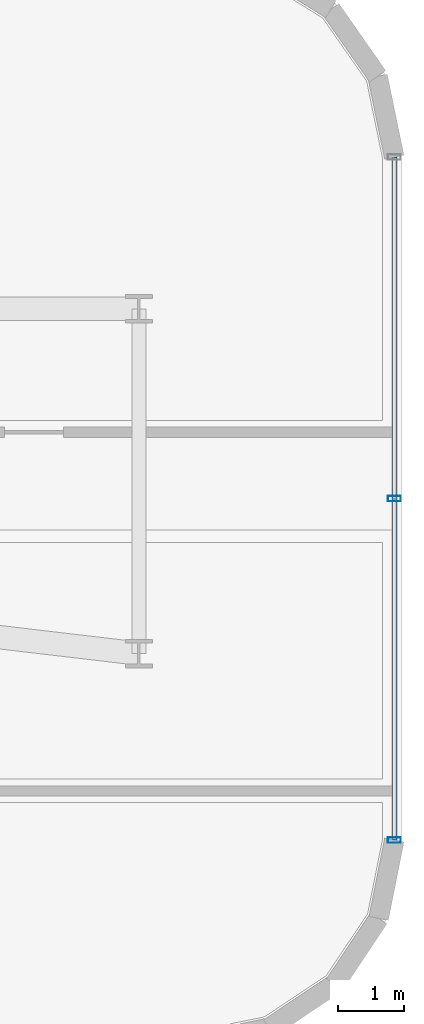
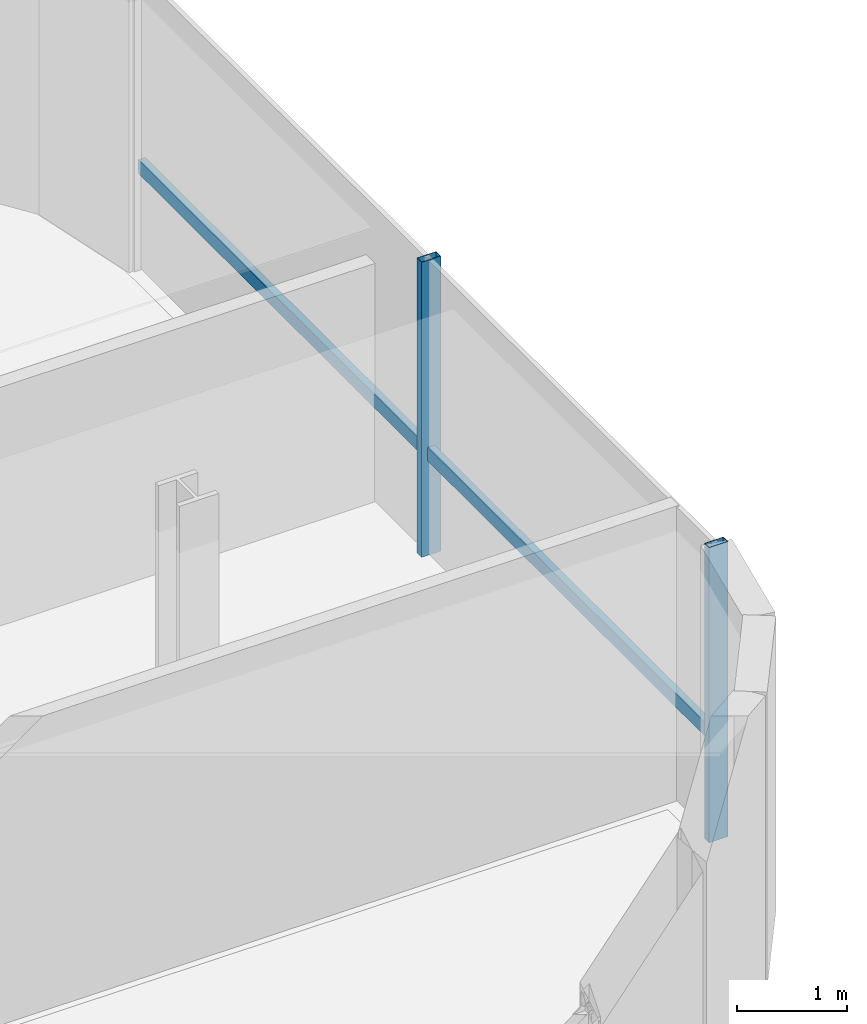
# One storey, part 11 of 21: 3 members, 1 element without a shape of its own.
"""IFC4 building model written with IfcOpenShell, lengths in metres."""

from ifc_helpers import new_model, si_unit, direction, frame, origin, origin_2d, place, context, subcontext, project, spatial, hollow_rectangle, extrude, source, transform, mapped, material, material_profile, profile_set, type_object, element, aggregate, save


model = new_model("IFC4")

# Units and contexts
model_context = context("Model", 3, precision=1e-05, world=origin(), true_north=direction((0.0, 1.0)))
body_context = subcontext(model_context, "Body", "Model", "MODEL_VIEW")
ifc_project = project(units=[si_unit("LENGTHUNIT", "METRE"), si_unit("AREAUNIT", "SQUARE_METRE"), si_unit("VOLUMEUNIT", "CUBIC_METRE"), si_unit("PLANEANGLEUNIT", "RADIAN"), si_unit("MASSUNIT", "GRAM", prefix="KILO")], contexts=[model_context])

# Site, building, storey
site_placement = place(None, origin())
site = spatial("IfcSite", under=ifc_project, at=site_placement, CompositionType="ELEMENT")
building_placement = place(site_placement, origin())
building = spatial("IfcBuilding", under=site, at=building_placement, Name="Valdorenza Pilgrim Sanctuary Tower", CompositionType="ELEMENT")
storey_placement = place(building_placement, frame((0.0, 0.0, 223.0)))
storey = spatial("IfcBuildingStorey", under=building, at=storey_placement, Name="L57", CompositionType="ELEMENT", Elevation=223.0)

# Curtain wall, members
ifc_material_1 = material(Name="Curtain-wall IGU glazing", Category="glass")
curtain_wall_type = type_object("IfcCurtainWallType", Name="CW-SYS-02", PredefinedType="NOTDEFINED", material=ifc_material_1)
curtain_wall_placement = place(storey_placement, origin())
curtain_wall = element("IfcCurtainWall", 1, at=curtain_wall_placement, inside=storey, type_object=curtain_wall_type, Name="L57 Curtain Wall CW-L57-1-11", PredefinedType="NOTDEFINED")
ifc_material_2 = material(Name="Anodised aluminium AW-6060", Category="aluminium")
ifc_material_profile_1 = material_profile(ifc_material_2, hollow_rectangle(XDim=0.0849609375, YDim=0.199951171875, WallThickness=0.0048828125, at=origin_2d()), Name="ALU-M 200x85x5")
ifc_profile_set_1 = profile_set([ifc_material_profile_1], Name="Anodised aluminium AW-6060")
member_type_1 = type_object("IfcMemberType", Name="CW-MUL-02", PredefinedType="MULLION", material=ifc_profile_set_1)
shared_shape_1 = source(origin(), body_context, "Body", "SweptSolid", [
    extrude(hollow_rectangle(XDim=0.0849609375, YDim=0.199951171875, WallThickness=0.0048828125, at=origin_2d()), origin(), (0.0, 0.0, 1.0), 3.260009765625),
])
member_1_placement = place(storey_placement, frame((0.389892578125, 11.9111328125, 0.0), z_axis=(0.0, 0.0, 1.0), x_axis=(0.0, -1.0, 0.0)))
member_1 = element("IfcMember", 2, at=member_1_placement, type_object=member_type_1, Name="CW-L57-1-11 Mullion 2", PredefinedType="MULLION", context=body_context, shape_type="MappedRepresentation", body=[
    mapped(shared_shape_1, transform((0.0, 0.0, 0.0), x_axis=(1.0, 0.0, 0.0), y_axis=(0.0, 1.0, 0.0), z_axis=(0.0, 0.0, 1.0), scale=1.0)),
])
member_2_placement = place(storey_placement, frame((0.389892578125, 6.710693359375, 0.0), z_axis=(0.0, 0.0, 1.0), x_axis=(0.0, -1.0, 0.0)))
member_2 = element("IfcMember", 3, at=member_2_placement, type_object=member_type_1, Name="CW-L57-1-11 Mullion 3", PredefinedType="MULLION", context=body_context, shape_type="MappedRepresentation", body=[
    mapped(shared_shape_1, transform((0.0, 0.0, 0.0), x_axis=(1.0, 0.0, 0.0), y_axis=(0.0, 1.0, 0.0), z_axis=(0.0, 0.0, 1.0), scale=1.0)),
])
ifc_material_profile_2 = material_profile(ifc_material_2, hollow_rectangle(XDim=0.074951171875, YDim=0.14990234375, WallThickness=0.00390625, at=origin_2d()), Name="ALU-T 150x75x4")
ifc_profile_set_2 = profile_set([ifc_material_profile_2], Name="Anodised aluminium AW-6060")
member_type_2 = type_object("IfcMemberType", Name="CW-TRN-02", PredefinedType="USERDEFINED", material=ifc_profile_set_2)
shared_shape_2 = source(origin(), body_context, "Body", "SweptSolid", [
    extrude(hollow_rectangle(XDim=0.074951171875, YDim=0.14990234375, WallThickness=0.00390625, at=origin_2d()), origin(), (0.0, 0.0, 1.0), 10.400634765625),
])
member_3_placement = place(storey_placement, frame((0.389892578125, 17.111328125, 1.1201171875), z_axis=(0.0, -1.0, 0.0), x_axis=(1.0, 0.0, 0.0)))
member_3 = element("IfcMember", 4, at=member_3_placement, type_object=member_type_2, Name="CW-L57-1-11 Transom 1", ObjectType="TRANSOM", PredefinedType="USERDEFINED", context=body_context, shape_type="MappedRepresentation", body=[
    mapped(shared_shape_2, transform((0.0, 0.0, 0.0), x_axis=(1.0, 0.0, 0.0), y_axis=(0.0, 1.0, 0.0), z_axis=(0.0, 0.0, 1.0), scale=1.0)),
])
aggregate(curtain_wall, [member_1, member_2, member_3])

save(model, "model.ifc")
